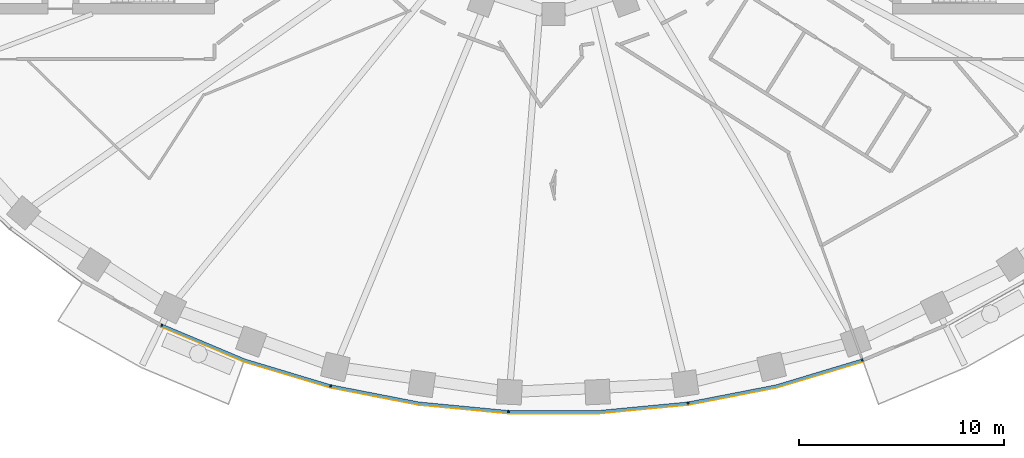
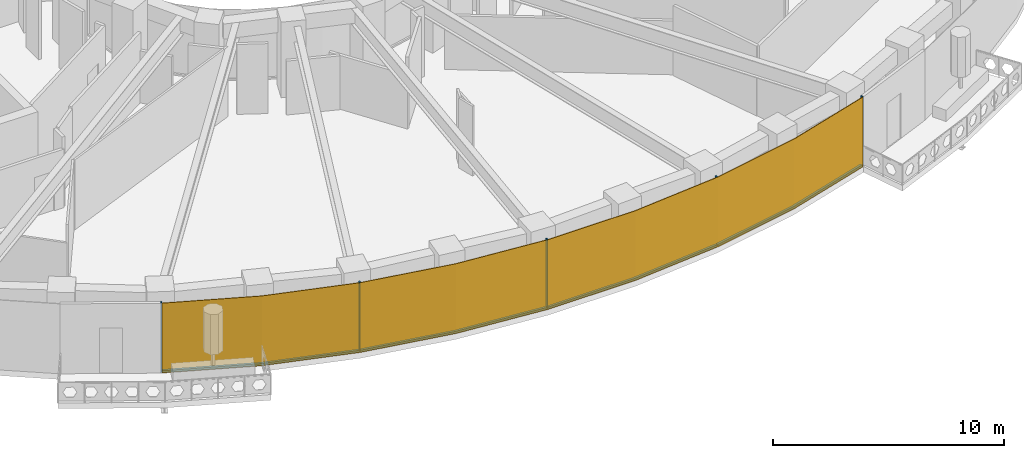
# One storey, part 9 of 15: 9 members, 1 curtain wall.
"""IFC4 building model written with IfcOpenShell, lengths in metres."""

from ifc_helpers import new_model, si_unit, direction, frame, origin, origin_2d, place, context, subcontext, project, spatial, polyline, rectangle, outline, extrude, material, layer, layer_set, material_profile, profile_set, type_object, element, aggregate, save


model = new_model("IFC4")

# Units and contexts
model_context = context("Model", 3, precision=1e-05, world=origin(), true_north=direction((0.0, 1.0)))
body_context = subcontext(model_context, "Body", "Model", "MODEL_VIEW")
ifc_project = project(units=[si_unit("LENGTHUNIT", "METRE"), si_unit("AREAUNIT", "SQUARE_METRE"), si_unit("VOLUMEUNIT", "CUBIC_METRE"), si_unit("PLANEANGLEUNIT", "RADIAN"), si_unit("MASSUNIT", "GRAM", prefix="KILO")], contexts=[model_context])

# Member
ifc_material_1 = material(Name="Aluminium 6063-T6 black anodised", Category="aluminium")
ifc_material_profile = material_profile(ifc_material_1, rectangle(XDim=0.1201171875, YDim=0.06005859375, at=origin_2d()), Name="120x60")
ifc_profile_set = profile_set([ifc_material_profile], Name="Aluminium 6063-T6 black anodised")
member_type_1 = type_object("IfcMemberType", Name="ENV-MULLION-A-120", PredefinedType="MULLION", material=ifc_profile_set)
site_placement = place(None, origin())
building_placement = place(site_placement, origin())
storey_placement = place(building_placement, frame((0.0, 0.0, 158.0)))
member_1_placement = place(storey_placement, frame((-19.06787109375, -23.6474609375, 0.0), z_axis=(0.0, 0.0, 1.0), x_axis=(0.439237769837, 0.898370848563, 0.0)))
member_1 = element("IfcMember", 1, at=member_1_placement, type_object=member_type_1, Name="Mullion A radial 31", PredefinedType="MULLION", context=body_context, shape_type="SweptSolid", body=[
    extrude(rectangle(XDim=0.1201171875, YDim=0.06005859375, at=origin_2d()), origin(), (0.0, 0.0, 1.0), 3.699951171875),
])

member_2_placement = place(storey_placement, frame((-10.84326171875, -26.60498046875, 0.0), z_axis=(0.0, 0.0, 1.0), x_axis=(0.239799081534, 0.970822538106, 0.0)))
member_2 = element("IfcMember", 2, at=member_2_placement, type_object=member_type_1, Name="Mullion A radial 33", PredefinedType="MULLION", context=body_context, shape_type="SweptSolid", body=[
    extrude(rectangle(XDim=0.1201171875, YDim=0.06005859375, at=origin_2d()), origin(), (0.0, 0.0, 1.0), 3.699951171875),
])

member_3_placement = place(storey_placement, frame((-2.188720703125, -27.856201171875, 0.0), z_axis=(0.0, 0.0, 1.0), x_axis=(0.047557873581, 0.998868484166, 0.0)))
member_3 = element("IfcMember", 3, at=member_3_placement, type_object=member_type_1, Name="Mullion A radial 35", PredefinedType="MULLION", context=body_context, shape_type="SweptSolid", body=[
    extrude(rectangle(XDim=0.1201171875, YDim=0.06005859375, at=origin_2d()), origin(), (0.0, 0.0, 1.0), 3.699951171875),
])

member_4_placement = place(storey_placement, frame((6.54638671875, -27.440185546875, 0.0), z_axis=(0.0, 0.0, 1.0), x_axis=(-0.143082012705, 0.989710835366, 0.0)))
member_4 = element("IfcMember", 4, at=member_4_placement, type_object=member_type_1, Name="Mullion A radial 37", PredefinedType="MULLION", context=body_context, shape_type="SweptSolid", body=[
    extrude(rectangle(XDim=0.1201171875, YDim=0.06005859375, at=origin_2d()), origin(), (0.0, 0.0, 1.0), 3.699951171875),
])

member_5_placement = place(storey_placement, frame((15.0341796875, -25.34375, 0.0), z_axis=(0.0, 0.0, 1.0), x_axis=(-0.338379256581, 0.941009818608, 0.0)))
member_5 = element("IfcMember", 5, at=member_5_placement, type_object=member_type_1, Name="Mullion A radial 39", PredefinedType="MULLION", context=body_context, shape_type="SweptSolid", body=[
    extrude(rectangle(XDim=0.1201171875, YDim=0.06005859375, at=origin_2d()), origin(), (0.0, 0.0, 1.0), 3.699951171875),
])

ifc_material_2 = material(Name="Aluminium 6063-T6 black anodised", Category="aluminium")
member_type_2 = type_object("IfcMemberType", Name="ENV-TRANSOM-A", PredefinedType="USERDEFINED", material=ifc_material_2)
member_6_placement = place(storey_placement, origin())
member_6 = element("IfcMember", 6, at=member_6_placement, type_object=member_type_2, Name="Transom A radial 31-33", ObjectType="TRANSOM", PredefinedType="USERDEFINED", context=body_context, shape_type="SweptSolid", body=[
    extrude(outline(polyline([(-19.068359375, -23.71240234375), (-15.054443359375, -25.400146484375), (-10.884521484375, -26.655029296875), (-10.855712890625, -26.53857421875), (-15.013916015625, -25.287109375), (-19.015380859375, -23.604248046875), (-19.068359375, -23.71240234375)])), origin(), (0.0, 0.0, 1.0), 0.10009765625),
])

member_7_placement = place(storey_placement, origin())
member_7 = element("IfcMember", 7, at=member_7_placement, type_object=member_type_2, Name="Transom A radial 33-35", ObjectType="TRANSOM", PredefinedType="USERDEFINED", context=body_context, shape_type="SweptSolid", body=[
    extrude(outline(polyline([(-10.830078125, -26.66845703125), (-6.55517578125, -27.49951171875), (-2.219482421875, -27.913330078125), (-2.2138671875, -27.793212890625), (-6.537841796875, -27.380615234375), (-10.80126953125, -26.552001953125), (-10.830078125, -26.66845703125)])), origin(), (0.0, 0.0, 1.0), 0.10009765625),
])

member_8_placement = place(storey_placement, origin())
member_8 = element("IfcMember", 8, at=member_8_placement, type_object=member_type_2, Name="Transom A radial 35-37", ObjectType="TRANSOM", PredefinedType="USERDEFINED", context=body_context, shape_type="SweptSolid", body=[
    extrude(outline(polyline([(-2.163818359375, -27.916015625), (2.191650390625, -27.916015625), (6.527099609375, -27.502197265625), (6.510009765625, -27.38330078125), (2.185791015625, -27.7958984375), (-2.157958984375, -27.7958984375), (-2.163818359375, -27.916015625)])), origin(), (0.0, 0.0, 1.0), 0.10009765625),
])

member_9_placement = place(storey_placement, origin())
member_9 = element("IfcMember", 9, at=member_9_placement, type_object=member_type_2, Name="Transom A radial 37-39", ObjectType="TRANSOM", PredefinedType="USERDEFINED", context=body_context, shape_type="SweptSolid", body=[
    extrude(outline(polyline([(6.58251953125, -27.494140625), (10.857666015625, -26.6630859375), (15.027587890625, -25.408203125), (14.987060546875, -25.295166015625), (10.828857421875, -26.54638671875), (6.5654296875, -27.375244140625), (6.58251953125, -27.494140625)])), origin(), (0.0, 0.0, 1.0), 0.10009765625),
])

# Site, building, storey
site = spatial("IfcSite", under=ifc_project, at=site_placement, CompositionType="ELEMENT")
building = spatial("IfcBuilding", under=site, at=building_placement, Name="Noorbagh Ring Tower", CompositionType="ELEMENT")
storey = spatial("IfcBuildingStorey", under=building, at=storey_placement, Name="L36", CompositionType="ELEMENT", Elevation=158.0)

# Curtain wall
ifc_material_3 = material(Name="Glass dark tinted laminated", Category="glass")
ifc_layer = layer(ifc_material_3, 0.031982421875)
ifc_layer_set = layer_set([ifc_layer], Name="Glass dark tinted laminated")
curtain_wall_type = type_object("IfcCurtainWallType", Name="ENV-CW-A", PredefinedType="NOTDEFINED", material=ifc_layer_set)
curtain_wall_placement = place(storey_placement, origin())
curtain_wall = element("IfcCurtainWall", 10, at=curtain_wall_placement, inside=storey, type_object=curtain_wall_type, Name="Curtain wall A R31", PredefinedType="NOTDEFINED", context=body_context, shape_type="SweptSolid", body=[
    extrude(outline(polyline([(-19.08984375, -23.738037109375), (-15.065185546875, -25.430419921875), (-10.865234375, -26.6943359375), (-6.559814453125, -27.53125), (-2.193115234375, -27.947998046875), (2.193115234375, -27.947998046875), (6.559814453125, -27.53125), (10.865234375, -26.6943359375), (15.046142578125, -25.43603515625), (15.035400390625, -25.406005859375), (10.857666015625, -26.6630859375), (6.55517578125, -27.49951171875), (2.191650390625, -27.916015625), (-2.191650390625, -27.916015625), (-6.55517578125, -27.49951171875), (-10.857666015625, -26.6630859375), (-15.054443359375, -25.400146484375), (-19.07568359375, -23.709228515625), (-19.08984375, -23.738037109375)])), origin(), (0.0, 0.0, 1.0), 3.699951171875),
])

aggregate(curtain_wall, [member_1, member_2, member_3, member_4, member_5, member_6, member_7, member_8, member_9])

save(model, "model.ifc")
